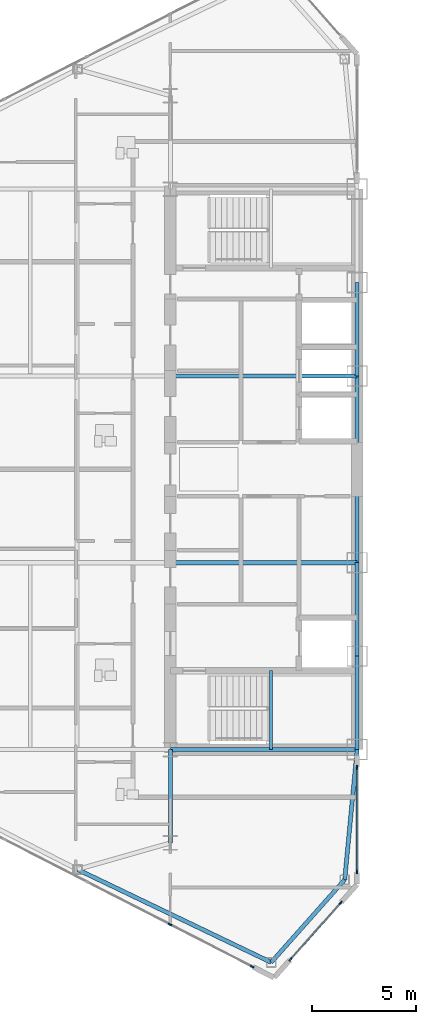
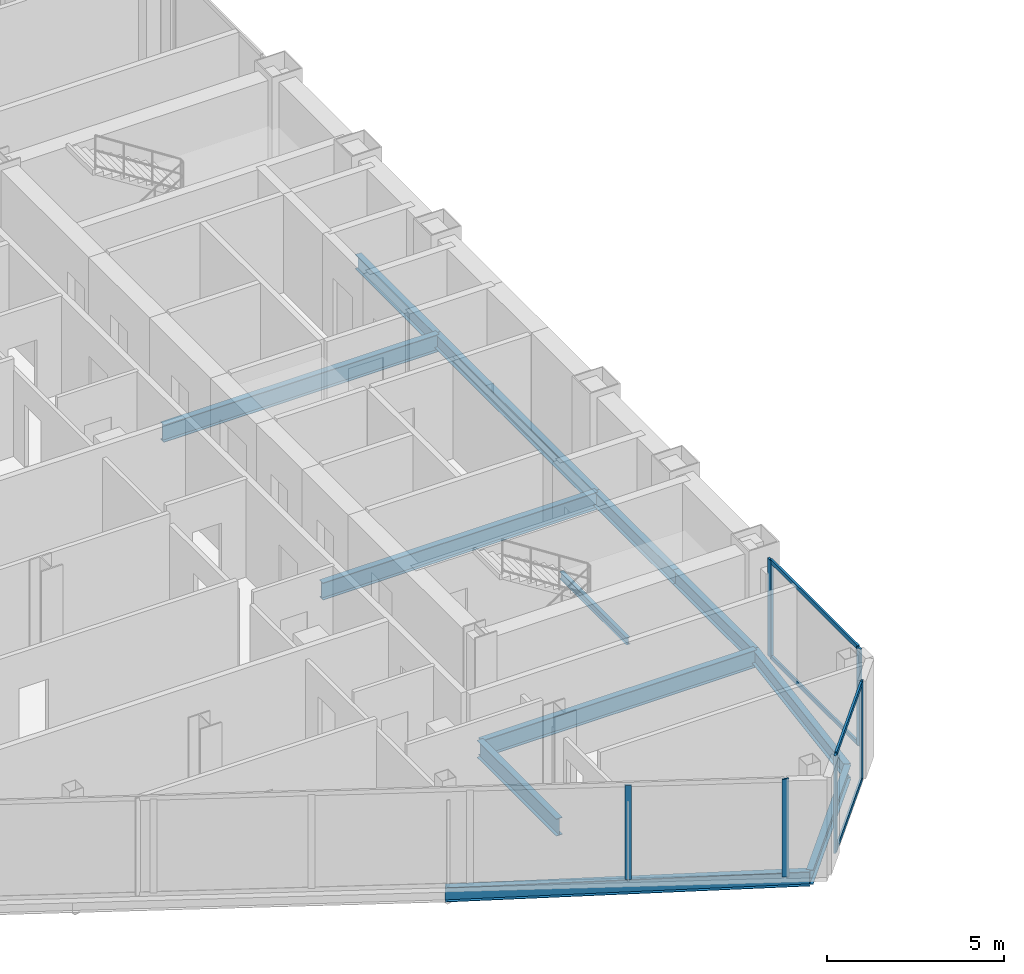
# One storey, part 5 of 23: 12 beams, 10 members, 3 elements without a shape of their own.
"""IFC4 building model written with IfcOpenShell, lengths in metres."""

from ifc_helpers import new_model, si_unit, direction, frame, origin, origin_2d, place, context, subcontext, project, spatial, rectangle, i_section, extrude, source, transform, mapped, material, layer, layer_set, material_profile, profile_set, type_object, type_shapes, element, aggregate, save


model = new_model("IFC4")

# Units and contexts
model_context = context("Model", 3, precision=1e-05, world=origin(), true_north=direction((0.0, 1.0)))
body_context = subcontext(model_context, "Body", "Model", "MODEL_VIEW")
ifc_project = project(units=[si_unit("LENGTHUNIT", "METRE"), si_unit("AREAUNIT", "SQUARE_METRE"), si_unit("VOLUMEUNIT", "CUBIC_METRE"), si_unit("PLANEANGLEUNIT", "RADIAN"), si_unit("MASSUNIT", "GRAM", prefix="KILO")], contexts=[model_context])

# Site, building, storey
site_placement = place(None, origin())
site = spatial("IfcSite", under=ifc_project, at=site_placement, CompositionType="ELEMENT")
building_placement = place(site_placement, origin())
building = spatial("IfcBuilding", under=site, at=building_placement, Name="Seokmaru Belvedere", CompositionType="ELEMENT")
storey_placement = place(building_placement, frame((0.0, 0.0, 147.60009765625)))
storey = spatial("IfcBuildingStorey", under=building, at=storey_placement, Name="L39", CompositionType="ELEMENT", Elevation=147.60009765625)

# Beams
ifc_material_1 = material(Name="Steel SM355 (355 MPa)", Category="steel")
ifc_material_profile_1 = material_profile(ifc_material_1, i_section(OverallWidth=0.199951171875, OverallDepth=0.5, WebThickness=0.010009765625, FlangeThickness=0.01611328125, at=origin_2d()), Name="H-500x200x10x16")
ifc_profile_set_1 = profile_set([ifc_material_profile_1], Name="Steel SM355 (355 MPa)")
beam_type_1 = type_object("IfcBeamType", Name="Perimeter Spandrel Beam H-500", PredefinedType="SPANDREL", material=ifc_profile_set_1)
shared_shape_1 = source(origin(), body_context, "Body", "SweptSolid", [
    extrude(i_section(OverallWidth=0.199951171875, OverallDepth=0.5, WebThickness=0.010009765625, FlangeThickness=0.01611328125, at=origin_2d()), origin(), (0.0, 0.0, 1.0), 4.5),
])
for number, where, z_axis, x_axis, name in (
    (1, (-27.5, -13.5, -0.47021484375), (0.0, 1.0, 0.0), (-1.0, 0.0, 0.0), "L39 W Portal Spine Spandrel 1"),
    (2, (-27.5, -9.0, -0.47021484375), (0.0, 1.0, 0.0), (-1.0, 0.0, 0.0), "L39 W Portal Spine Spandrel 2"),
    (3, (-27.5, 4.5, -0.47021484375), (0.0, 1.0, 0.0), (-1.0, 0.0, 0.0), "L39 W Portal Spine Spandrel 4"),
):
    element("IfcBeam", number, at=place(storey_placement, frame(where, z_axis=z_axis, x_axis=x_axis)), inside=storey, type_object=beam_type_1, Name=name, PredefinedType="SPANDREL", context=body_context, shape_type="MappedRepresentation", body=[
        mapped(shared_shape_1, transform((0.0, 0.0, 0.0), scale=1.0)),
    ])
shared_shape_2 = source(origin(), body_context, "Body", "SweptSolid", [
    extrude(i_section(OverallWidth=0.199951171875, OverallDepth=0.5, WebThickness=0.010009765625, FlangeThickness=0.01611328125, at=origin_2d()), origin(), (0.0, 0.0, 1.0), 9.0),
])
beam_1_placement = place(storey_placement, frame((-27.5, -4.5, -0.47021484375), z_axis=(0.0, 1.0, 0.0), x_axis=(-1.0, 0.0, 0.0)))
element("IfcBeam", 4, at=beam_1_placement, inside=storey, type_object=beam_type_1, Name="L39 W Portal Spine Spandrel 3", PredefinedType="SPANDREL", context=body_context, shape_type="MappedRepresentation", body=[
    mapped(shared_shape_2, transform((0.0, 0.0, 0.0), scale=1.0)),
])
ifc_material_profile_2 = material_profile(ifc_material_1, i_section(OverallWidth=0.199951171875, OverallDepth=0.60009765625, WebThickness=0.010986328125, FlangeThickness=0.01708984375, at=origin_2d()), Name="H-600x200x11x17")
ifc_profile_set_2 = profile_set([ifc_material_profile_2], Name="Steel SM355 (355 MPa)")
beam_type_2 = type_object("IfcBeamType", Name="Primary Floor Girder H-600", PredefinedType="BEAM", material=ifc_profile_set_2)
shared_shape_3 = source(origin(), body_context, "Body", "SweptSolid", [
    extrude(i_section(OverallWidth=0.199951171875, OverallDepth=0.60009765625, WebThickness=0.010986328125, FlangeThickness=0.01708984375, at=origin_2d()), origin(), (0.0, 0.0, 1.0), 9.0),
])
for number, where, z_axis, x_axis, name in (
    (5, (-36.5, -13.5, -0.52001953125), (1.0, 0.0, 0.0), (0.0, 1.0, 0.0), "L39 W Core Tie Girder 1"),
    (6, (-36.5, -4.5, -0.52001953125), (1.0, 0.0, 0.0), (0.0, 1.0, 0.0), "L39 W Core Tie Girder 2"),
    (7, (-36.5, 4.5, -0.52001953125), (1.0, 0.0, 0.0), (0.0, 1.0, 0.0), "L39 W Core Tie Girder 3"),
):
    element("IfcBeam", number, at=place(storey_placement, frame(where, z_axis=z_axis, x_axis=x_axis)), inside=storey, type_object=beam_type_2, Name=name, PredefinedType="BEAM", context=body_context, shape_type="MappedRepresentation", body=[
        mapped(shared_shape_3, transform((0.0, 0.0, 0.0), scale=1.0)),
    ])
shared_shape_4 = source(origin(), body_context, "Body", "SweptSolid", [
    extrude(i_section(OverallWidth=0.199951171875, OverallDepth=0.60009765625, WebThickness=0.010986328125, FlangeThickness=0.01708984375, at=origin_2d()), origin(), (0.0, 0.0, 1.0), 4.5),
])
type_shapes(beam_type_2, [shared_shape_3, shared_shape_4])
beam_2_placement = place(storey_placement, frame((-36.5, -18.0, -0.52001953125), z_axis=(0.0, 1.0, 0.0), x_axis=(-1.0, 0.0, 0.0)))
element("IfcBeam", 8, at=beam_2_placement, inside=storey, type_object=beam_type_2, Name="L39 W Core Shoulder Girder S", PredefinedType="BEAM", context=body_context, shape_type="MappedRepresentation", body=[
    mapped(shared_shape_4, transform((0.0, 0.0, 0.0), scale=1.0)),
])
shared_shape_5 = source(origin(), body_context, "Body", "SweptSolid", [
    extrude(i_section(OverallWidth=0.199951171875, OverallDepth=0.5, WebThickness=0.010009765625, FlangeThickness=0.01611328125, at=origin_2d()), origin(), (0.0, 0.0, 1.0), 10.353759765625),
])
beam_3_placement = place(storey_placement, frame((-31.6396484375, -23.75390625, -0.47021484375), z_axis=(-0.901713202822, 0.432334708134, 0.0), x_axis=(-0.432334708134, -0.901713202822, 0.0)))
element("IfcBeam", 9, at=beam_3_placement, inside=storey, type_object=beam_type_1, Name="L39 W Faceted Flank Spandrel S-1", PredefinedType="SPANDREL", context=body_context, shape_type="MappedRepresentation", body=[
    mapped(shared_shape_5, transform((0.0, 0.0, 0.0), scale=1.0)),
])
shared_shape_6 = source(origin(), body_context, "Body", "SweptSolid", [
    extrude(i_section(OverallWidth=0.199951171875, OverallDepth=0.5, WebThickness=0.010009765625, FlangeThickness=0.01611328125, at=origin_2d()), origin(), (0.0, 0.0, 1.0), 5.32763671875),
])
beam_4_placement = place(storey_placement, frame((-31.6396484375, -23.75390625, -0.47021484375), z_axis=(0.66436952742, 0.74740426212, 0.0), x_axis=(-0.74740426212, 0.66436952742, 0.0)))
element("IfcBeam", 10, at=beam_4_placement, inside=storey, type_object=beam_type_1, Name="L39 W Shoulder Chamfer Spandrel S", PredefinedType="SPANDREL", context=body_context, shape_type="MappedRepresentation", body=[
    mapped(shared_shape_6, transform((0.0, 0.0, 0.0), scale=1.0)),
])
shared_shape_7 = source(origin(), body_context, "Body", "SweptSolid", [
    extrude(i_section(OverallWidth=0.199951171875, OverallDepth=0.5, WebThickness=0.010009765625, FlangeThickness=0.01611328125, at=origin_2d()), origin(), (0.0, 0.0, 1.0), 6.300537109375),
])
type_shapes(beam_type_1, [shared_shape_1, shared_shape_2, shared_shape_5, shared_shape_6, shared_shape_7])
beam_5_placement = place(storey_placement, frame((-28.10009765625, -19.77197265625, -0.47021484375), z_axis=(0.095244287992, 0.995453929424, 0.0), x_axis=(-0.995453929424, 0.095244287992, 0.0)))
element("IfcBeam", 11, at=beam_5_placement, inside=storey, type_object=beam_type_1, Name="L39 W Shoulder Spine Spandrel S", PredefinedType="SPANDREL", context=body_context, shape_type="MappedRepresentation", body=[
    mapped(shared_shape_7, transform((0.0, 0.0, 0.0), scale=1.0)),
])

# Curtain wall, members
ifc_material_2 = material(Name="Bronze Triple Insulating Glass", Category="glass")
ifc_layer = layer(ifc_material_2, 0.195068359375)
ifc_layer_set = layer_set([ifc_layer], Name="Bronze Triple Insulating Glass")
curtain_wall_type = type_object("IfcCurtainWallType", Name="Sky-Lobby and Mid-Rise Curtain Wall System CW-4", PredefinedType="NOTDEFINED", material=ifc_layer_set)
curtain_wall_1_placement = place(storey_placement, origin())
curtain_wall_1 = element("IfcCurtainWall", 12, at=curtain_wall_1_placement, inside=storey, type_object=curtain_wall_type, Name="L39 Curtain Wall WSP_1", PredefinedType="NOTDEFINED")
ifc_material_3 = material(Name="Anodised Bronze Aluminium", Category="aluminium")
ifc_material_profile_3 = material_profile(ifc_material_3, rectangle(XDim=0.070068359375, YDim=0.195068359375, at=origin_2d()), Name="CW-M-70x195")
ifc_profile_set_3 = profile_set([ifc_material_profile_3], Name="Anodised Bronze Aluminium")
member_type_1 = type_object("IfcMemberType", Name="Bronze Unitised Mullion 70x195", PredefinedType="MULLION", material=ifc_profile_set_3)
shared_shape_8 = source(origin(), body_context, "Body", "SweptSolid", [
    extrude(rectangle(XDim=0.070068359375, YDim=0.195068359375, at=origin_2d()), origin(), (0.0, 0.0, 1.0), 3.3798828125),
])
member_1_placement = place(storey_placement, frame((-27.5, -19.39501953125, 0.0), z_axis=(0.0, 0.0, 1.0), x_axis=(-1.0, 0.0, 0.0)))
member_1 = element("IfcMember", 13, at=member_1_placement, type_object=member_type_1, Name="CW:L39:WSP_1 Mullion 1", PredefinedType="MULLION", context=body_context, shape_type="MappedRepresentation", body=[
    mapped(shared_shape_8, transform((0.0, 0.0, 0.0), scale=1.0)),
])
member_2_placement = place(storey_placement, frame((-27.5, -14.364990234375, 0.0), z_axis=(0.0, 0.0, 1.0), x_axis=(-1.0, 0.0, 0.0)))
member_2 = element("IfcMember", 14, at=member_2_placement, type_object=member_type_1, Name="CW:L39:WSP_1 Mullion 2", PredefinedType="MULLION", context=body_context, shape_type="MappedRepresentation", body=[
    mapped(shared_shape_8, transform((0.0, 0.0, 0.0), scale=1.0)),
])

# Curtain wall, member
curtain_wall_2_placement = place(storey_placement, origin())
curtain_wall_2 = element("IfcCurtainWall", 15, at=curtain_wall_2_placement, inside=storey, type_object=curtain_wall_type, Name="L39 Curtain Wall WF5", PredefinedType="NOTDEFINED")
member_3_placement = place(storey_placement, frame((-32.55419921875, -23.958984375, 0.0), z_axis=(0.0, 0.0, 1.0), x_axis=(0.456554528263, 0.889695432562, 0.0)))
member_3 = element("IfcMember", 16, at=member_3_placement, type_object=member_type_1, Name="CW:L39:WF5 Mullion 10", PredefinedType="MULLION", context=body_context, shape_type="MappedRepresentation", body=[
    mapped(shared_shape_8, transform((0.0, 0.0, 0.0), scale=1.0)),
])

# Curtain wall, members
curtain_wall_3_placement = place(storey_placement, origin())
curtain_wall_3 = element("IfcCurtainWall", 17, at=curtain_wall_3_placement, inside=storey, type_object=curtain_wall_type, Name="L39 Curtain Wall WF6", PredefinedType="NOTDEFINED")
member_4_placement = place(storey_placement, frame((-30.712646484375, -23.6142578125, 0.0), z_axis=(0.0, 0.0, 1.0), x_axis=(-0.747409774804, 0.664363325694, 0.0)))
member_4 = element("IfcMember", 18, at=member_4_placement, type_object=member_type_1, Name="CW:L39:WF6 Mullion 1", PredefinedType="MULLION", context=body_context, shape_type="MappedRepresentation", body=[
    mapped(shared_shape_8, transform((0.0, 0.0, 0.0), scale=1.0)),
])
member_5_placement = place(storey_placement, frame((-28.287353515625, -20.8857421875, 0.0), z_axis=(0.0, 0.0, 1.0), x_axis=(-0.747409774804, 0.664363325694, 0.0)))
member_5 = element("IfcMember", 19, at=member_5_placement, type_object=member_type_1, Name="CW:L39:WF6 Mullion 2", PredefinedType="MULLION", context=body_context, shape_type="MappedRepresentation", body=[
    mapped(shared_shape_8, transform((0.0, 0.0, 0.0), scale=1.0)),
])
ifc_material_profile_4 = material_profile(ifc_material_3, rectangle(XDim=0.06494140625, YDim=0.14990234375, at=origin_2d()), Name="CW-T-65x150")
ifc_profile_set_4 = profile_set([ifc_material_profile_4], Name="Anodised Bronze Aluminium")
member_type_2 = type_object("IfcMemberType", Name="Bronze Unitised Transom 65x150", PredefinedType="USERDEFINED", material=ifc_profile_set_4)
shared_shape_9 = source(origin(), body_context, "Body", "SweptSolid", [
    extrude(rectangle(XDim=0.06494140625, YDim=0.14990234375, at=origin_2d()), origin(), (0.0, 0.0, 1.0), 3.580810546875),
])
member_6_placement = place(storey_placement, frame((-30.689453125, -23.588134765625, 0.032470703125), z_axis=(0.66436383883, 0.747409318684, 0.0), x_axis=(-0.747409318684, 0.66436383883, 0.0)))
member_6 = element("IfcMember", 20, at=member_6_placement, type_object=member_type_2, Name="CW:L39:WF6 Continuous Transom 1", ObjectType="TRANSOM", PredefinedType="USERDEFINED", context=body_context, shape_type="MappedRepresentation", body=[
    mapped(shared_shape_9, transform((0.0, 0.0, 0.0), scale=1.0)),
])
member_7_placement = place(storey_placement, frame((-30.689453125, -23.588134765625, 3.347412109375), z_axis=(0.66436383883, 0.747409318684, 0.0), x_axis=(-0.747409318684, 0.66436383883, 0.0)))
member_7 = element("IfcMember", 21, at=member_7_placement, type_object=member_type_2, Name="CW:L39:WF6 Continuous Transom 2", ObjectType="TRANSOM", PredefinedType="USERDEFINED", context=body_context, shape_type="MappedRepresentation", body=[
    mapped(shared_shape_9, transform((0.0, 0.0, 0.0), scale=1.0)),
])
aggregate(curtain_wall_3, [member_4, member_5, member_6, member_7])

# Member
shared_shape_10 = source(origin(), body_context, "Body", "SweptSolid", [
    extrude(rectangle(XDim=0.070068359375, YDim=0.195068359375, at=origin_2d()), origin(), (0.0, 0.0, 1.0), 3.25),
])
type_shapes(member_type_1, [shared_shape_8, shared_shape_10])
member_8_placement = place(storey_placement, frame((-36.51806640625, -21.925048828125, 0.06494140625), z_axis=(0.0, 0.0, 1.0), x_axis=(0.456554528263, 0.889695432562, 0.0)))
member_8 = element("IfcMember", 22, at=member_8_placement, type_object=member_type_1, Name="CW:L39:WF5 Mullion 9", PredefinedType="MULLION", context=body_context, shape_type="MappedRepresentation", body=[
    mapped(shared_shape_10, transform((0.0, 0.0, 0.0), scale=1.0)),
])

aggregate(curtain_wall_2, [member_8, member_3])

shared_shape_11 = source(origin(), body_context, "Body", "SweptSolid", [
    extrude(rectangle(XDim=0.06494140625, YDim=0.14990234375, at=origin_2d()), origin(), (0.0, 0.0, 1.0), 4.960205078125),
])
type_shapes(member_type_2, [shared_shape_9, shared_shape_11])
member_9_placement = place(storey_placement, frame((-27.5, -19.360107421875, 0.032470703125), z_axis=(0.0, 1.0, 0.0), x_axis=(-1.0, 0.0, 0.0)))
member_9 = element("IfcMember", 23, at=member_9_placement, type_object=member_type_2, Name="CW:L39:WSP_1 Continuous Transom 1", ObjectType="TRANSOM", PredefinedType="USERDEFINED", context=body_context, shape_type="MappedRepresentation", body=[
    mapped(shared_shape_11, transform((0.0, 0.0, 0.0), scale=1.0)),
])

member_10_placement = place(storey_placement, frame((-27.5, -19.360107421875, 3.347412109375), z_axis=(0.0, 1.0, 0.0), x_axis=(-1.0, 0.0, 0.0)))
member_10 = element("IfcMember", 24, at=member_10_placement, type_object=member_type_2, Name="CW:L39:WSP_1 Continuous Transom 2", ObjectType="TRANSOM", PredefinedType="USERDEFINED", context=body_context, shape_type="MappedRepresentation", body=[
    mapped(shared_shape_11, transform((0.0, 0.0, 0.0), scale=1.0)),
])

aggregate(curtain_wall_1, [member_1, member_2, member_9, member_10])

# Beam
ifc_material_profile_5 = material_profile(ifc_material_1, i_section(OverallWidth=0.125, OverallDepth=0.25, WebThickness=0.006103515625, FlangeThickness=0.009033203125, at=origin_2d()), Name="H-250x125x6x9")
ifc_profile_set_5 = profile_set([ifc_material_profile_5], Name="Steel SM355 (355 MPa)")
beam_type_3 = type_object("IfcBeamType", Name="Stair Mid-Landing Support Beam H-250", PredefinedType="JOIST", material=ifc_profile_set_5)
shared_shape_12 = source(origin(), body_context, "Body", "SweptSolid", [
    extrude(i_section(OverallWidth=0.125, OverallDepth=0.25, WebThickness=0.006103515625, FlangeThickness=0.009033203125, at=origin_2d()), origin(), (0.0, 0.0, 1.0), 3.800048828125),
])
type_shapes(beam_type_3, [shared_shape_12])
beam_6_placement = place(storey_placement, frame((-31.64990234375, -13.5, 1.474853515625), z_axis=(0.0, 1.0, 0.0), x_axis=(-1.0, 0.0, 0.0)))
element("IfcBeam", 25, at=beam_6_placement, inside=storey, type_object=beam_type_3, Name="L39 Stair ST-W1 Mid-Landing Support Beam 1", PredefinedType="JOIST", context=body_context, shape_type="MappedRepresentation", body=[
    mapped(shared_shape_12, transform((0.0, 0.0, 0.0), scale=1.0)),
])

save(model, "model.ifc")
